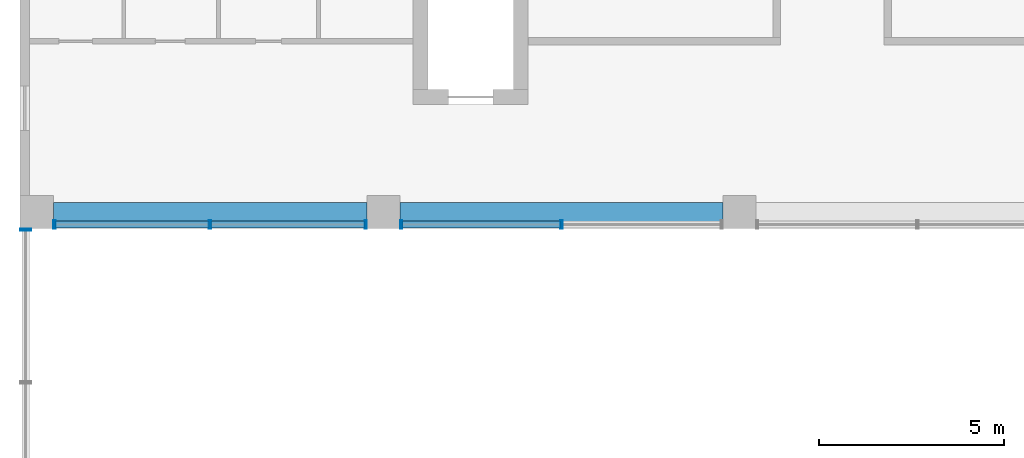
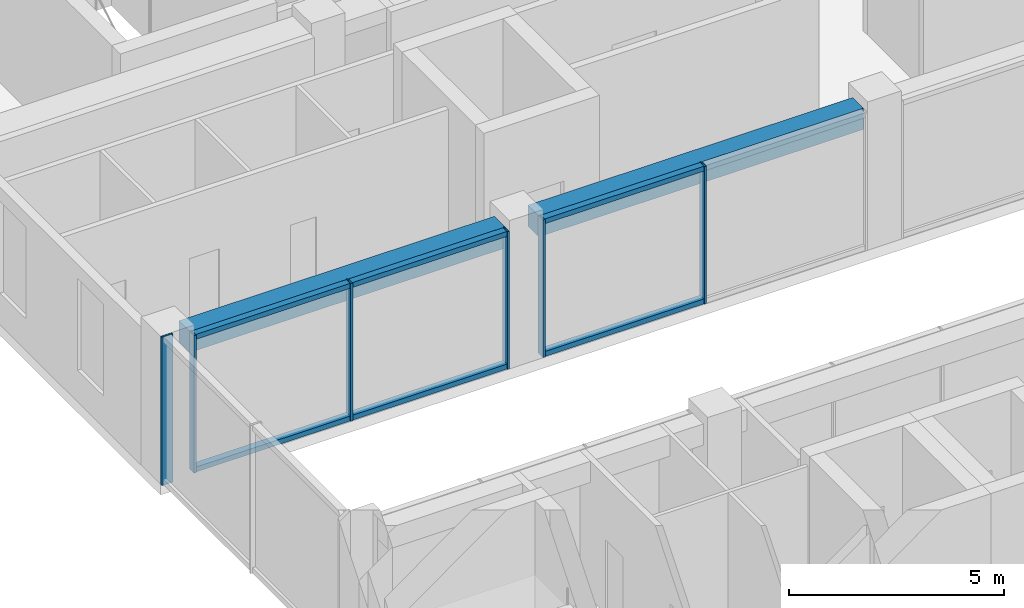
# One storey, part 8 of 37: 12 members, 2 beams, 3 elements without a shape of their own.
"""IFC4 building model written with IfcOpenShell, lengths in metres."""

from ifc_helpers import new_model, si_unit, direction, frame, origin, origin_2d, place, context, subcontext, project, spatial, rectangle, hollow_rectangle, extrude, material, layer, layer_set, material_profile, profile_set, type_object, element, aggregate, save


model = new_model("IFC4")

# Units and contexts
model_context = context("Model", 3, precision=1e-05, world=origin(), true_north=direction((0.0, 1.0)))
body_context = subcontext(model_context, "Body", "Model", "MODEL_VIEW")
ifc_project = project(units=[si_unit("LENGTHUNIT", "METRE"), si_unit("AREAUNIT", "SQUARE_METRE"), si_unit("VOLUMEUNIT", "CUBIC_METRE"), si_unit("PLANEANGLEUNIT", "RADIAN"), si_unit("MASSUNIT", "GRAM", prefix="KILO")], contexts=[model_context])

# Site, building, storey
site_placement = place(None, origin())
site = spatial("IfcSite", under=ifc_project, at=site_placement, CompositionType="ELEMENT")
building_placement = place(site_placement, origin())
building = spatial("IfcBuilding", under=site, at=building_placement, Name="Nzadi Deep Aquarium and Research Tower", CompositionType="ELEMENT")
storey_placement = place(building_placement, frame((0.0, 0.0, 57.10009765625)))
storey = spatial("IfcBuildingStorey", under=building, at=storey_placement, Name="L11", CompositionType="ELEMENT", Elevation=57.10009765625)

# Curtain wall, members
ifc_material_1 = material(Name="Aluminium unitised frame deep", Category="aluminium")
ifc_layer_1 = layer(ifc_material_1, 0.22509765625)
ifc_layer_set_1 = layer_set([ifc_layer_1], Name="Aluminium unitised frame deep")
curtain_wall_type_1 = type_object("IfcCurtainWallType", Name="Curtain wall Unitised Deep 225", PredefinedType="NOTDEFINED", material=ifc_layer_set_1)
curtain_wall_1_placement = place(storey_placement, origin())
curtain_wall_1 = element("IfcCurtainWall", 1, at=curtain_wall_1_placement, inside=storey, type_object=curtain_wall_type_1, Name="Unitised curtain wall blade B south L11", PredefinedType="NOTDEFINED")
ifc_material_2 = material(Name="Aluminium unitised frame deep", Category="aluminium")
ifc_material_profile_1 = material_profile(ifc_material_2, hollow_rectangle(XDim=0.22509765625, YDim=0.06005859375, WallThickness=0.0048828125, at=origin_2d()))
ifc_profile_set_1 = profile_set([ifc_material_profile_1], Name="Aluminium unitised frame deep")
member_type_1 = type_object("IfcMemberType", Name="Mullion 60x225 Unitised Deep", PredefinedType="MULLION", material=ifc_profile_set_1)
member_1_placement = place(storey_placement, frame((0.72998046875, 27.262451171875, 0.0), z_axis=(0.0, 0.0, 1.0), x_axis=(0.0, 1.0, 0.0)))
member_1 = element("IfcMember", 2, at=member_1_placement, type_object=member_type_1, Name="CW140 mullion 1", PredefinedType="MULLION", context=body_context, shape_type="SweptSolid", body=[
    extrude(hollow_rectangle(XDim=0.22509765625, YDim=0.06005859375, WallThickness=0.0048828125, at=origin_2d()), origin(), (0.0, 0.0, 1.0), 3.89990234375),
])
member_2_placement = place(storey_placement, frame((4.925048828125, 27.262451171875, 0.0), z_axis=(0.0, 0.0, 1.0), x_axis=(0.0, 1.0, 0.0)))
member_2 = element("IfcMember", 3, at=member_2_placement, type_object=member_type_1, Name="CW140 mullion 2", PredefinedType="MULLION", context=body_context, shape_type="SweptSolid", body=[
    extrude(hollow_rectangle(XDim=0.22509765625, YDim=0.06005859375, WallThickness=0.0048828125, at=origin_2d()), origin(), (0.0, 0.0, 1.0), 3.89990234375),
])
member_3_placement = place(storey_placement, frame((9.1201171875, 27.262451171875, 0.0), z_axis=(0.0, 0.0, 1.0), x_axis=(0.0, 1.0, 0.0)))
member_3 = element("IfcMember", 4, at=member_3_placement, type_object=member_type_1, Name="CW140 mullion 3", PredefinedType="MULLION", context=body_context, shape_type="SweptSolid", body=[
    extrude(hollow_rectangle(XDim=0.22509765625, YDim=0.06005859375, WallThickness=0.0048828125, at=origin_2d()), origin(), (0.0, 0.0, 1.0), 3.89990234375),
])

curtain_wall_2_placement = place(storey_placement, origin())
curtain_wall_2 = element("IfcCurtainWall", 5, at=curtain_wall_2_placement, inside=storey, type_object=curtain_wall_type_1, Name="Unitised curtain wall blade B south L11", PredefinedType="NOTDEFINED")
member_4_placement = place(storey_placement, frame((10.080078125, 27.262451171875, 0.0), z_axis=(0.0, 0.0, 1.0), x_axis=(0.0, 1.0, 0.0)))
member_4 = element("IfcMember", 6, at=member_4_placement, type_object=member_type_1, Name="CW141 mullion 1", PredefinedType="MULLION", context=body_context, shape_type="SweptSolid", body=[
    extrude(hollow_rectangle(XDim=0.22509765625, YDim=0.06005859375, WallThickness=0.0048828125, at=origin_2d()), origin(), (0.0, 0.0, 1.0), 3.89990234375),
])
member_5_placement = place(storey_placement, frame((14.39990234375, 27.262451171875, 0.0), z_axis=(0.0, 0.0, 1.0), x_axis=(0.0, 1.0, 0.0)))
member_5 = element("IfcMember", 7, at=member_5_placement, type_object=member_type_1, Name="CW141 mullion 2", PredefinedType="MULLION", context=body_context, shape_type="SweptSolid", body=[
    extrude(hollow_rectangle(XDim=0.22509765625, YDim=0.06005859375, WallThickness=0.0048828125, at=origin_2d()), origin(), (0.0, 0.0, 1.0), 3.89990234375),
])

# Curtain wall, member
ifc_material_3 = material(Name="Aluminium unitised frame wind post", Category="aluminium")
ifc_layer_2 = layer(ifc_material_3, 0.300048828125)
ifc_layer_set_2 = layer_set([ifc_layer_2], Name="Aluminium unitised frame wind post")
curtain_wall_type_2 = type_object("IfcCurtainWallType", Name="Curtain wall Slot End 300", PredefinedType="NOTDEFINED", material=ifc_layer_set_2)
curtain_wall_3_placement = place(storey_placement, origin())
curtain_wall_3 = element("IfcCurtainWall", 8, at=curtain_wall_3_placement, inside=storey, type_object=curtain_wall_type_2, Name="Glazed slot end west L11", PredefinedType="NOTDEFINED")
ifc_material_4 = material(Name="Aluminium unitised frame wind post", Category="aluminium")
ifc_material_profile_2 = material_profile(ifc_material_4, hollow_rectangle(XDim=0.300048828125, YDim=0.06005859375, WallThickness=0.0048828125, at=origin_2d()))
ifc_profile_set_2 = profile_set([ifc_material_profile_2], Name="Aluminium unitised frame wind post")
member_type_2 = type_object("IfcMemberType", Name="Mullion 60x300 Slot End", PredefinedType="MULLION", material=ifc_profile_set_2)
member_6_placement = place(storey_placement, frame((-0.049560546875, 27.1201171875, 0.0), z_axis=(0.0, 0.0, 1.0), x_axis=(-1.0, 0.0, 0.0)))
member_6 = element("IfcMember", 9, at=member_6_placement, type_object=member_type_2, Name="CW213 mullion 3", PredefinedType="MULLION", context=body_context, shape_type="SweptSolid", body=[
    extrude(hollow_rectangle(XDim=0.300048828125, YDim=0.06005859375, WallThickness=0.0048828125, at=origin_2d()), origin(), (0.0, 0.0, 1.0), 4.199951171875),
])
aggregate(curtain_wall_3, [member_6])

# Beams
ifc_material_5 = material(Name="Concrete C35/45", Category="concrete")
ifc_material_profile_3 = material_profile(ifc_material_5, rectangle(XDim=0.5, YDim=0.60009765625, at=origin_2d()))
ifc_profile_set_3 = profile_set([ifc_material_profile_3], Name="Concrete C35/45")
beam_type = type_object("IfcBeamType", Name="RC 500x600", PredefinedType="BEAM", material=ifc_profile_set_3)
beam_1_placement = place(storey_placement, frame((0.699951171875, 27.60009765625, 3.599853515625), z_axis=(1.0, 0.0, 0.0), x_axis=(0.0, 1.0, 0.0)))
element("IfcBeam", 10, at=beam_1_placement, inside=storey, type_object=beam_type, Name="B-Z1-L11-L4-1", PredefinedType="BEAM", context=body_context, shape_type="SweptSolid", body=[
    extrude(rectangle(XDim=0.5, YDim=0.60009765625, at=origin_2d()), origin(), (0.0, 0.0, 1.0), 8.449951171875),
])
beam_2_placement = place(storey_placement, frame((10.050048828125, 27.60009765625, 3.599853515625), z_axis=(1.0, 0.0, 0.0), x_axis=(0.0, 1.0, 0.0)))
element("IfcBeam", 11, at=beam_2_placement, inside=storey, type_object=beam_type, Name="B-Z1-L11-L4-2", PredefinedType="BEAM", context=body_context, shape_type="SweptSolid", body=[
    extrude(rectangle(XDim=0.5, YDim=0.60009765625, at=origin_2d()), origin(), (0.0, 0.0, 1.0), 8.699951171875),
])

# Member
ifc_material_6 = material(Name="Aluminium unitised frame deep", Category="aluminium")
ifc_material_profile_4 = material_profile(ifc_material_6, hollow_rectangle(XDim=0.179931640625, YDim=0.139892578125, WallThickness=0.0048828125, at=origin_2d()))
ifc_profile_set_4 = profile_set([ifc_material_profile_4], Name="Aluminium unitised frame deep")
member_type_3 = type_object("IfcMemberType", Name="Transom 140x180 Unitised Deep", PredefinedType="MULLION", material=ifc_profile_set_4)
member_7_placement = place(storey_placement, frame((0.760009765625, 27.262451171875, 0.06982421875), z_axis=(1.0, 0.0, 0.0), x_axis=(0.0, 1.0, 0.0)))
member_7 = element("IfcMember", 12, at=member_7_placement, type_object=member_type_3, Name="CW140 transom 1.1", PredefinedType="MULLION", context=body_context, shape_type="SweptSolid", body=[
    extrude(hollow_rectangle(XDim=0.179931640625, YDim=0.139892578125, WallThickness=0.0048828125, at=origin_2d()), origin(), (0.0, 0.0, 1.0), 4.135009765625),
])

member_8_placement = place(storey_placement, frame((0.760009765625, 27.262451171875, 3.829833984375), z_axis=(1.0, 0.0, 0.0), x_axis=(0.0, 1.0, 0.0)))
member_8 = element("IfcMember", 13, at=member_8_placement, type_object=member_type_3, Name="CW140 transom 1.2", PredefinedType="MULLION", context=body_context, shape_type="SweptSolid", body=[
    extrude(hollow_rectangle(XDim=0.179931640625, YDim=0.139892578125, WallThickness=0.0048828125, at=origin_2d()), origin(), (0.0, 0.0, 1.0), 4.135009765625),
])

member_9_placement = place(storey_placement, frame((4.955078125, 27.262451171875, 0.06982421875), z_axis=(1.0, 0.0, 0.0), x_axis=(0.0, 1.0, 0.0)))
member_9 = element("IfcMember", 14, at=member_9_placement, type_object=member_type_3, Name="CW140 transom 2.1", PredefinedType="MULLION", context=body_context, shape_type="SweptSolid", body=[
    extrude(hollow_rectangle(XDim=0.179931640625, YDim=0.139892578125, WallThickness=0.0048828125, at=origin_2d()), origin(), (0.0, 0.0, 1.0), 4.135009765625),
])

member_10_placement = place(storey_placement, frame((4.955078125, 27.262451171875, 3.829833984375), z_axis=(1.0, 0.0, 0.0), x_axis=(0.0, 1.0, 0.0)))
member_10 = element("IfcMember", 15, at=member_10_placement, type_object=member_type_3, Name="CW140 transom 2.2", PredefinedType="MULLION", context=body_context, shape_type="SweptSolid", body=[
    extrude(hollow_rectangle(XDim=0.179931640625, YDim=0.139892578125, WallThickness=0.0048828125, at=origin_2d()), origin(), (0.0, 0.0, 1.0), 4.135009765625),
])

aggregate(curtain_wall_1, [member_1, member_2, member_3, member_7, member_8, member_9, member_10])

member_11_placement = place(storey_placement, frame((10.110107421875, 27.262451171875, 0.06982421875), z_axis=(1.0, 0.0, 0.0), x_axis=(0.0, 1.0, 0.0)))
member_11 = element("IfcMember", 16, at=member_11_placement, type_object=member_type_3, Name="CW141 transom 1.1", PredefinedType="MULLION", context=body_context, shape_type="SweptSolid", body=[
    extrude(hollow_rectangle(XDim=0.179931640625, YDim=0.139892578125, WallThickness=0.0048828125, at=origin_2d()), origin(), (0.0, 0.0, 1.0), 4.260009765625),
])

member_12_placement = place(storey_placement, frame((10.110107421875, 27.262451171875, 3.829833984375), z_axis=(1.0, 0.0, 0.0), x_axis=(0.0, 1.0, 0.0)))
member_12 = element("IfcMember", 17, at=member_12_placement, type_object=member_type_3, Name="CW141 transom 1.2", PredefinedType="MULLION", context=body_context, shape_type="SweptSolid", body=[
    extrude(hollow_rectangle(XDim=0.179931640625, YDim=0.139892578125, WallThickness=0.0048828125, at=origin_2d()), origin(), (0.0, 0.0, 1.0), 4.260009765625),
])

aggregate(curtain_wall_2, [member_4, member_5, member_11, member_12])

save(model, "model.ifc")
